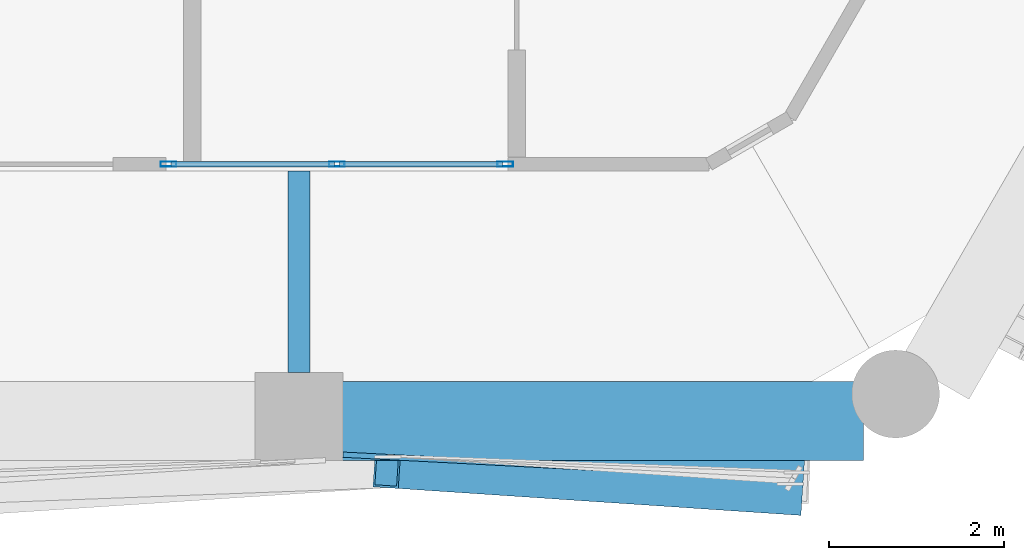
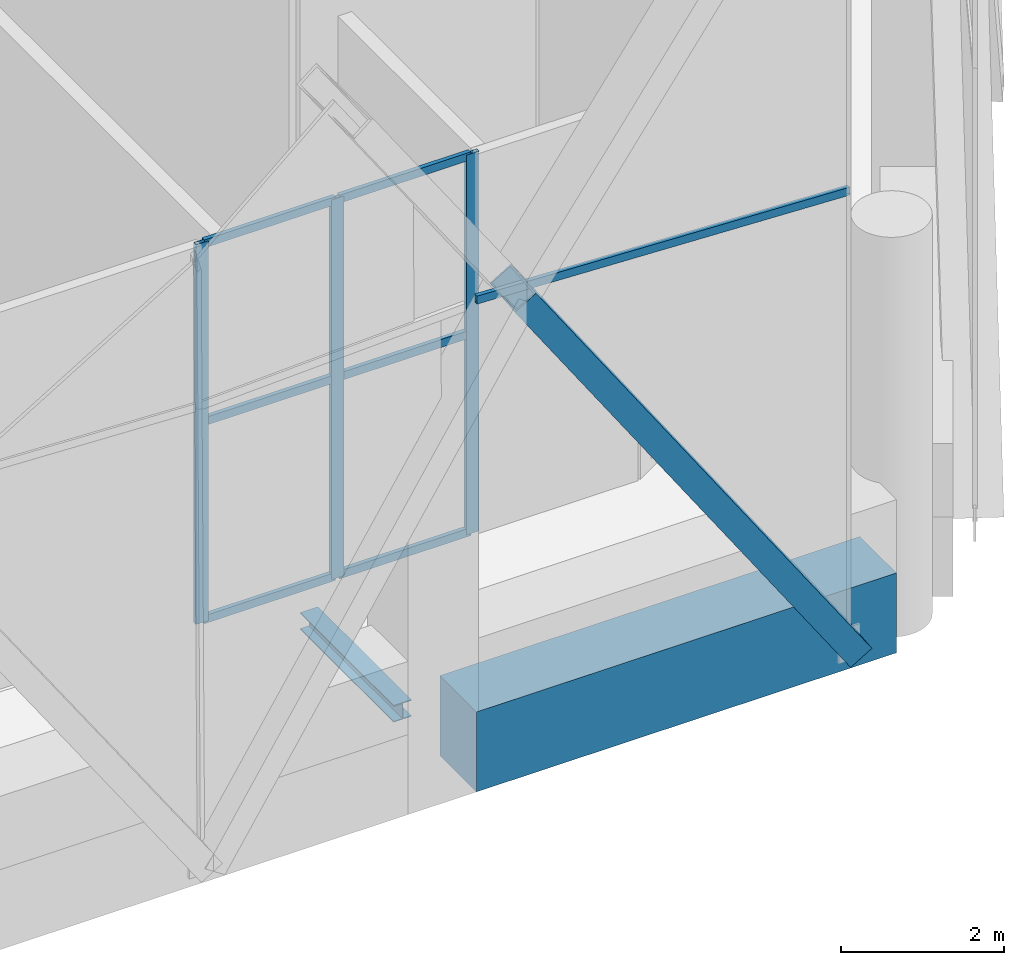
# One storey, part 10 of 43: 11 members, 2 beams, 2 elements without a shape of their own.
"""IFC4 building model written with IfcOpenShell, lengths in metres."""

import ifcopenshell
import ifcopenshell.guid

model = None  # the IFC model being written
_history = None  # IfcOwnerHistory: only IFC2X3 demands one
_inside = {}  # id of a spatial element -> (the spatial element, [elements in it])
_under = {}  # id of a project, library or spatial element -> (it, [spatial elements below it])
_declared = {}  # id of a project -> (the project, [libraries it declares])
_typed = {}  # id of a type object -> (the type object, [elements of that type])
_made_of = {}  # id of a material, layer set ... -> (it, [elements and type objects made of it])


def new_model(schema):
    """Start an empty IFC model of exactly this schema.

    Asked for "IFC4X3", IfcOpenShell would pick the latest addendum, in which some entities
    have other attributes; the version numbers below select the first issue.
    IFC2X3 requires an IfcOwnerHistory on every rooted entity: one is made here for all.
    """
    global model, _history
    if schema == "IFC4X3":
        model = ifcopenshell.file(schema_version=(4, 3, 0, 0))
    else:
        model = ifcopenshell.file(schema=schema)
    _inside.clear()
    _under.clear()
    _declared.clear()
    _typed.clear()
    _made_of.clear()
    _history = None
    if model.schema == "IFC2X3":
        org = make("IfcOrganization", Name="unknown")
        user = make(
            "IfcPersonAndOrganization",
            ThePerson=make("IfcPerson", FamilyName="unknown"),
            TheOrganization=org,
        )
        app = make(
            "IfcApplication",
            ApplicationDeveloper=org,
            Version="unknown",
            ApplicationFullName="unknown",
            ApplicationIdentifier="unknown",
        )
        _history = make(
            "IfcOwnerHistory",
            OwningUser=user,
            OwningApplication=app,
            ChangeAction="ADDED",
            CreationDate=0,
        )
    return model


def make(cls, **values):
    """One entity of the class cls with the attributes given. An attribute that is None is left unset."""
    return model.create_entity(
        cls, **{name: value for name, value in values.items() if value is not None}
    )


def rooted(cls, **values):
    """An entity with a GlobalId (a new one), such as an element, a storey or a relation."""
    return make(cls, GlobalId=ifcopenshell.guid.new(), OwnerHistory=_history, **values)


def si_unit(unit_type, name, prefix=None):
    """IfcSIUnit, for example si_unit("LENGTHUNIT", "METRE", prefix="MILLI")."""
    return make("IfcSIUnit", UnitType=unit_type, Prefix=prefix, Name=name)


def assignment(units):
    """IfcUnitAssignment: the units of a project."""
    return None if units is None else make("IfcUnitAssignment", Units=units)


def point(xyz):
    """IfcCartesianPoint."""
    return None if xyz is None else make("IfcCartesianPoint", Coordinates=xyz)


def direction(xyz):
    """IfcDirection."""
    return None if xyz is None else make("IfcDirection", DirectionRatios=xyz)


def frame(location, z_axis=None, x_axis=None):
    """IfcAxis2Placement3D, a coordinate frame: its origin and axes. An axis left out is left unset."""
    return make(
        "IfcAxis2Placement3D",
        Location=point(location),
        Axis=direction(z_axis),
        RefDirection=direction(x_axis),
    )


def frame_2d(location, x_axis=None):
    """IfcAxis2Placement2D, a coordinate frame in the plane: its origin and x axis."""
    return make(
        "IfcAxis2Placement2D", Location=point(location), RefDirection=direction(x_axis)
    )


def origin():
    """The frame at (0, 0, 0) with its axes left unset."""
    return frame((0.0, 0.0, 0.0))


def origin_2d():
    """The frame at (0, 0) in the plane with its x axis left unset."""
    return frame_2d((0.0, 0.0))


def place(relative_to, where):
    """IfcLocalPlacement: puts the frame where relative to a parent placement (None: the world)."""
    return make(
        "IfcLocalPlacement", PlacementRelTo=relative_to, RelativePlacement=where
    )


def context(
    kind, dimensions, precision=None, world=None, true_north=None, identifier=None
):
    """IfcGeometricRepresentationContext, for example the 3D "Model" context."""
    return make(
        "IfcGeometricRepresentationContext",
        ContextIdentifier=identifier,
        ContextType=kind,
        CoordinateSpaceDimension=dimensions,
        Precision=precision,
        WorldCoordinateSystem=world,
        TrueNorth=true_north,
    )


def subcontext(parent, identifier, kind, view, scale=None):
    """IfcGeometricRepresentationSubContext, for example "Body" below "Model"."""
    return make(
        "IfcGeometricRepresentationSubContext",
        ContextIdentifier=identifier,
        ContextType=kind,
        ParentContext=parent,
        TargetScale=scale,
        TargetView=view,
    )


def project(units=None, contexts=None):
    """IfcProject with its units and contexts."""
    return rooted(
        "IfcProject",
        Name="project",
        RepresentationContexts=contexts,
        UnitsInContext=assignment(units),
    )


def spatial(cls, under=None, at=None, **own):
    """A site, building, storey or space (cls), placed at a placement, below another one or the project."""
    s = rooted(cls, ObjectPlacement=at, **own)
    if under is not None:
        _under.setdefault(under.id(), (under, []))[1].append(s)
    return s


def profile(cls, at=None, kind="AREA", **sizes):
    """A parametric profile (cls). Its sizes go by their IFC names, for example OverallWidth=200.0."""
    return make(cls, ProfileType=kind, Position=at, **sizes)


def rectangle(**sizes):
    """IfcRectangleProfileDef."""
    return profile("IfcRectangleProfileDef", **sizes)


def hollow_rectangle(**sizes):
    """IfcRectangleHollowProfileDef."""
    return profile("IfcRectangleHollowProfileDef", **sizes)


def i_section(**sizes):
    """IfcIShapeProfileDef."""
    return profile("IfcIShapeProfileDef", **sizes)


def extrude(swept, where, along, depth):
    """IfcExtrudedAreaSolid: the profile swept, set in the frame where, extruded along a direction by depth."""
    return make(
        "IfcExtrudedAreaSolid",
        SweptArea=swept,
        Position=where,
        ExtrudedDirection=direction(along),
        Depth=depth,
    )


def shape(context_of_items, identifier, shape_type, items):
    """IfcShapeRepresentation: the items that make up one representation, for example the "Body"."""
    return make(
        "IfcShapeRepresentation",
        ContextOfItems=context_of_items,
        RepresentationIdentifier=identifier,
        RepresentationType=shape_type,
        Items=items,
    )


def material(Name=None, Category=None):
    """IfcMaterial."""
    return make("IfcMaterial", Name=Name, Category=Category)


def material_profile(
    of_material, cross_section, Name=None, Category=None, Priority=None
):
    """IfcMaterialProfile: a cross section and its material."""
    return make(
        "IfcMaterialProfile",
        Name=Name,
        Material=of_material,
        Profile=cross_section,
        Priority=Priority,
        Category=Category,
    )


def profile_set(profiles, Name=None, composite=None):
    """IfcMaterialProfileSet."""
    return make(
        "IfcMaterialProfileSet",
        Name=Name,
        MaterialProfiles=profiles,
        CompositeProfile=composite,
    )


def made_of(thing, what):
    """Note that an element or type object is made of a material, layer set ...; save() writes the relation."""
    if what is not None:
        _made_of.setdefault(what.id(), (what, []))[1].append(thing)
    return thing


def type_object(cls, material=None, **own):
    """A type object (cls), such as IfcWallType, which elements share."""
    return made_of(rooted(cls, **own), material)


def element(
    cls,
    number,
    at=None,
    inside=None,
    cuts=None,
    type_object=None,
    material=None,
    context=None,
    identifier="Body",
    shape_type=None,
    held_by="IfcProductDefinitionShape",
    body=None,
    shapes=None,
    **own,
):
    """One element of the class cls, such as IfcWall. Its Tag is "e" and its number.

    at: its placement. inside: the storey or other place that contains it. cuts: it is an
    opening in that element (IfcRelVoidsElement). A single representation is given by context,
    identifier, shape_type and body (its items); several are given by shapes. held_by: the class
    of the entity that holds the representations. save() writes the other relations.
    """
    e = rooted(cls, Tag="e%d" % number, ObjectPlacement=at, **own)
    if body is not None:
        shapes = [shape(context, identifier, shape_type, body)]
    if shapes is not None:
        e.Representation = make(held_by, Representations=shapes)
    if inside is not None:
        _inside.setdefault(inside.id(), (inside, []))[1].append(e)
    if cuts is not None:
        rooted(
            "IfcRelVoidsElement", RelatingBuildingElement=cuts, RelatedOpeningElement=e
        )
    if type_object is not None:
        _typed.setdefault(type_object.id(), (type_object, []))[1].append(e)
    return made_of(e, material)


def aggregate(whole, parts):
    """IfcRelAggregates: a whole, such as a stair, and the parts it consists of."""
    return rooted("IfcRelAggregates", RelatingObject=whole, RelatedObjects=parts)


def save(model, path):
    """Write the relations noted so far, then the file.

    IfcRelAggregates (storeys below a building ...), IfcRelContainedInSpatialStructure (elements
    in a storey), IfcRelDefinesByType, IfcRelAssociatesMaterial and IfcRelDeclares: one each for
    every whole, place, type object, material and project.
    """
    for whole, parts in _under.values():
        aggregate(whole, parts)
    for where, things in _inside.values():
        rooted(
            "IfcRelContainedInSpatialStructure",
            RelatedElements=things,
            RelatingStructure=where,
        )
    for kind, things in _typed.values():
        rooted("IfcRelDefinesByType", RelatedObjects=things, RelatingType=kind)
    for what, things in _made_of.values():
        rooted("IfcRelAssociatesMaterial", RelatedObjects=things, RelatingMaterial=what)
    for by, libraries in _declared.values():
        rooted("IfcRelDeclares", RelatingContext=by, RelatedDefinitions=libraries)
    model.write(path)


model = new_model("IFC4")

# Units and contexts
model_context = context("Model", 3, precision=1e-05, world=origin(), true_north=direction((0.0, 1.0)))
body_context = subcontext(model_context, "Body", "Model", "MODEL_VIEW")
ifc_project = project(units=[si_unit("LENGTHUNIT", "METRE"), si_unit("AREAUNIT", "SQUARE_METRE"), si_unit("VOLUMEUNIT", "CUBIC_METRE"), si_unit("PLANEANGLEUNIT", "RADIAN"), si_unit("MASSUNIT", "GRAM", prefix="KILO")], contexts=[model_context])

# Site, building, storey
site_placement = place(None, origin())
site = spatial("IfcSite", under=ifc_project, at=site_placement, CompositionType="ELEMENT")
building_placement = place(site_placement, origin())
building = spatial("IfcBuilding", under=site, at=building_placement, Name="Ostrander Bayou Hotel Tower", CompositionType="ELEMENT")
storey_placement = place(building_placement, frame((0.0, 0.0, 151.0)))
storey = spatial("IfcBuildingStorey", under=building, at=storey_placement, Name="L37", CompositionType="ELEMENT", Elevation=151.0)

# Curtain wall, member
ifc_material_1 = material(Name="Aluminium and clear glass", Category="aluminium")
curtain_wall_type_1 = type_object("IfcCurtainWallType", Name="CW-LAT lattice glazing", PredefinedType="NOTDEFINED", material=ifc_material_1)
curtain_wall_1_placement = place(storey_placement, origin())
curtain_wall_1 = element("IfcCurtainWall", 1, at=curtain_wall_1_placement, inside=storey, type_object=curtain_wall_type_1, Name="CW-LAT L37 S 2", PredefinedType="NOTDEFINED")
ifc_material_2 = material(Name="Aluminium", Category="aluminium")
ifc_material_profile_1 = material_profile(ifc_material_2, hollow_rectangle(XDim=0.06005859375, YDim=0.1201171875, WallThickness=0.00390625, at=origin_2d()))
ifc_profile_set_1 = profile_set([ifc_material_profile_1], Name="Aluminium")
member_type_1 = type_object("IfcMemberType", Name="CW-LA transom 60 x 120 mm", PredefinedType="USERDEFINED", material=ifc_profile_set_1)
member_1_placement = place(storey_placement, frame((9.25634765625, -19.00439453125, 6.14990234375), z_axis=(-0.998641842643, 0.052100576985, 0.0), x_axis=(-0.052100576985, -0.998641842643, 0.0)))
member_1 = element("IfcMember", 2, at=member_1_placement, type_object=member_type_1, Name="CW-LAT transom 10", ObjectType="TRANSOM", PredefinedType="USERDEFINED", context=body_context, shape_type="SweptSolid", body=[
    extrude(hollow_rectangle(XDim=0.06005859375, YDim=0.1201171875, WallThickness=0.00390625, at=origin_2d()), origin(), (0.0, 0.0, 1.0), 5.145263671875),
])
aggregate(curtain_wall_1, [member_1])

# Curtain wall, members
ifc_material_3 = material(Name="Aluminium and clear glass", Category="aluminium")
curtain_wall_type_2 = type_object("IfcCurtainWallType", Name="CW-SKY amenity glass wall", PredefinedType="NOTDEFINED", material=ifc_material_3)
curtain_wall_2_placement = place(storey_placement, origin())
curtain_wall_2 = element("IfcCurtainWall", 3, at=curtain_wall_2_placement, inside=storey, type_object=curtain_wall_type_2, Name="CW-SKY L37 S 3", PredefinedType="NOTDEFINED")
ifc_material_4 = material(Name="Aluminium", Category="aluminium")
ifc_material_profile_2 = material_profile(ifc_material_4, hollow_rectangle(XDim=0.06005859375, YDim=0.179931640625, WallThickness=0.00390625, at=origin_2d()))
ifc_profile_set_2 = profile_set([ifc_material_profile_2], Name="Aluminium")
member_type_2 = type_object("IfcMemberType", Name="CW-SK mullion 60 x 180 mm", PredefinedType="MULLION", material=ifc_profile_set_2)
member_2_placement = place(storey_placement, frame((2.1298828125, -15.425048828125, 0.0), z_axis=(0.0, 0.0, 1.0), x_axis=(0.0, 1.0, 0.0)))
member_2 = element("IfcMember", 4, at=member_2_placement, type_object=member_type_2, Name="CW-SKY mullion 1", PredefinedType="MULLION", context=body_context, shape_type="SweptSolid", body=[
    extrude(hollow_rectangle(XDim=0.06005859375, YDim=0.179931640625, WallThickness=0.00390625, at=origin_2d()), origin(), (0.0, 0.0, 1.0), 5.699951171875),
])
member_3_placement = place(storey_placement, frame((4.050048828125, -15.425048828125, 0.0), z_axis=(0.0, 0.0, 1.0), x_axis=(0.0, 1.0, 0.0)))
member_3 = element("IfcMember", 5, at=member_3_placement, type_object=member_type_2, Name="CW-SKY mullion 2", PredefinedType="MULLION", context=body_context, shape_type="SweptSolid", body=[
    extrude(hollow_rectangle(XDim=0.06005859375, YDim=0.179931640625, WallThickness=0.00390625, at=origin_2d()), origin(), (0.0, 0.0, 1.0), 5.699951171875),
])
member_4_placement = place(storey_placement, frame((5.969970703125, -15.425048828125, 0.0), z_axis=(0.0, 0.0, 1.0), x_axis=(0.0, 1.0, 0.0)))
member_4 = element("IfcMember", 6, at=member_4_placement, type_object=member_type_2, Name="CW-SKY mullion 3", PredefinedType="MULLION", context=body_context, shape_type="SweptSolid", body=[
    extrude(hollow_rectangle(XDim=0.06005859375, YDim=0.179931640625, WallThickness=0.00390625, at=origin_2d()), origin(), (0.0, 0.0, 1.0), 5.699951171875),
])
ifc_material_5 = material(Name="Aluminium", Category="aluminium")
ifc_material_profile_3 = material_profile(ifc_material_5, hollow_rectangle(XDim=0.06005859375, YDim=0.1201171875, WallThickness=0.00390625, at=origin_2d()))
ifc_profile_set_3 = profile_set([ifc_material_profile_3], Name="Aluminium")
member_type_3 = type_object("IfcMemberType", Name="CW-SK transom 60 x 120 mm", PredefinedType="USERDEFINED", material=ifc_profile_set_3)
member_5_placement = place(storey_placement, frame((2.159912109375, -15.425048828125, 0.030029296875), z_axis=(1.0, 0.0, 0.0), x_axis=(0.0, 1.0, 0.0)))
member_5 = element("IfcMember", 7, at=member_5_placement, type_object=member_type_3, Name="CW-SKY transom 1.1", ObjectType="TRANSOM", PredefinedType="USERDEFINED", context=body_context, shape_type="SweptSolid", body=[
    extrude(hollow_rectangle(XDim=0.06005859375, YDim=0.1201171875, WallThickness=0.00390625, at=origin_2d()), origin(), (0.0, 0.0, 1.0), 1.860107421875),
])
member_6_placement = place(storey_placement, frame((2.159912109375, -15.425048828125, 3.0), z_axis=(1.0, 0.0, 0.0), x_axis=(0.0, 1.0, 0.0)))
member_6 = element("IfcMember", 8, at=member_6_placement, type_object=member_type_3, Name="CW-SKY transom 1.2", ObjectType="TRANSOM", PredefinedType="USERDEFINED", context=body_context, shape_type="SweptSolid", body=[
    extrude(hollow_rectangle(XDim=0.06005859375, YDim=0.1201171875, WallThickness=0.00390625, at=origin_2d()), origin(), (0.0, 0.0, 1.0), 1.860107421875),
])
member_7_placement = place(storey_placement, frame((2.159912109375, -15.425048828125, 5.669921875), z_axis=(1.0, 0.0, 0.0), x_axis=(0.0, 1.0, 0.0)))
member_7 = element("IfcMember", 9, at=member_7_placement, type_object=member_type_3, Name="CW-SKY transom 1.3", ObjectType="TRANSOM", PredefinedType="USERDEFINED", context=body_context, shape_type="SweptSolid", body=[
    extrude(hollow_rectangle(XDim=0.06005859375, YDim=0.1201171875, WallThickness=0.00390625, at=origin_2d()), origin(), (0.0, 0.0, 1.0), 1.860107421875),
])
member_8_placement = place(storey_placement, frame((4.080078125, -15.425048828125, 0.030029296875), z_axis=(1.0, 0.0, 0.0), x_axis=(0.0, 1.0, 0.0)))
member_8 = element("IfcMember", 10, at=member_8_placement, type_object=member_type_3, Name="CW-SKY transom 2.1", ObjectType="TRANSOM", PredefinedType="USERDEFINED", context=body_context, shape_type="SweptSolid", body=[
    extrude(hollow_rectangle(XDim=0.06005859375, YDim=0.1201171875, WallThickness=0.00390625, at=origin_2d()), origin(), (0.0, 0.0, 1.0), 1.85986328125),
])
member_9_placement = place(storey_placement, frame((4.080078125, -15.425048828125, 3.0), z_axis=(1.0, 0.0, 0.0), x_axis=(0.0, 1.0, 0.0)))
member_9 = element("IfcMember", 11, at=member_9_placement, type_object=member_type_3, Name="CW-SKY transom 2.2", ObjectType="TRANSOM", PredefinedType="USERDEFINED", context=body_context, shape_type="SweptSolid", body=[
    extrude(hollow_rectangle(XDim=0.06005859375, YDim=0.1201171875, WallThickness=0.00390625, at=origin_2d()), origin(), (0.0, 0.0, 1.0), 1.85986328125),
])
member_10_placement = place(storey_placement, frame((4.080078125, -15.425048828125, 5.669921875), z_axis=(1.0, 0.0, 0.0), x_axis=(0.0, 1.0, 0.0)))
member_10 = element("IfcMember", 12, at=member_10_placement, type_object=member_type_3, Name="CW-SKY transom 2.3", ObjectType="TRANSOM", PredefinedType="USERDEFINED", context=body_context, shape_type="SweptSolid", body=[
    extrude(hollow_rectangle(XDim=0.06005859375, YDim=0.1201171875, WallThickness=0.00390625, at=origin_2d()), origin(), (0.0, 0.0, 1.0), 1.85986328125),
])
aggregate(curtain_wall_2, [member_2, member_3, member_4, member_5, member_6, member_7, member_8, member_9, member_10])

# Beam
ifc_material_6 = material(Name="Steel ASTM A992", Category="steel")
ifc_material_profile_4 = material_profile(ifc_material_6, i_section(OverallWidth=0.25390625, OverallDepth=0.25341796875, WebThickness=0.008544921875, FlangeThickness=0.01416015625, at=origin_2d()))
ifc_profile_set_4 = profile_set([ifc_material_profile_4], Name="Steel ASTM A992")
beam_type_1 = type_object("IfcBeamType", Name="LB2 loggia bracket W10x49", PredefinedType="BEAM", material=ifc_profile_set_4)
beam_1_placement = place(storey_placement, frame((3.6181640625, -17.800048828125, -0.4267578125), z_axis=(0.0, 1.0, 0.0), x_axis=(-1.0, 0.0, 0.0)))
element("IfcBeam", 13, at=beam_1_placement, inside=storey, type_object=beam_type_1, Name="LB2 L37 S2", PredefinedType="BEAM", context=body_context, shape_type="SweptSolid", body=[
    extrude(i_section(OverallWidth=0.25390625, OverallDepth=0.25341796875, WebThickness=0.008544921875, FlangeThickness=0.01416015625, at=origin_2d()), origin(), (0.0, 0.0, 1.0), 2.300048828125),
])

# Member
ifc_material_7 = material(Name="Steel ASTM A572 Gr 50", Category="steel")
ifc_material_profile_5 = material_profile(ifc_material_7, hollow_rectangle(XDim=0.699951171875, YDim=0.35009765625, WallThickness=0.02490234375, at=origin_2d()))
ifc_profile_set_5 = profile_set([ifc_material_profile_5], Name="Steel ASTM A572 Gr 50")
member_type_4 = type_object("IfcMemberType", Name="LT1 lattice member box 700 x 350 x 25 mm", PredefinedType="BRACE", material=ifc_profile_set_5)
member_11_placement = place(storey_placement, frame((4.628173828125, -18.762939453125, 6.14990234375), z_axis=(0.561940227992, -0.03759817077, -0.826322913708), x_axis=(0.066758515359, 0.997769161994, 0.0)))
element("IfcMember", 14, at=member_11_placement, inside=storey, type_object=member_type_4, Name="LT1 L37 S 7", PredefinedType="BRACE", context=body_context, shape_type="SweptSolid", body=[
    extrude(hollow_rectangle(XDim=0.699951171875, YDim=0.35009765625, WallThickness=0.02490234375, at=origin_2d()), origin(), (0.0, 0.0, 1.0), 8.168701171875),
])

# Beam
ifc_material_8 = material(Name="Concrete f'c 60 MPa", Category="concrete")
ifc_material_profile_6 = material_profile(ifc_material_8, rectangle(XDim=0.89990234375, YDim=1.199951171875, at=origin_2d()))
ifc_profile_set_6 = profile_set([ifc_material_profile_6], Name="Concrete f'c 60 MPa")
beam_type_2 = type_object("IfcBeamType", Name="SP3 spandrel beam 900 x 1200 mm f'c 60 MPa", PredefinedType="SPANDREL", material=ifc_profile_set_6)
beam_2_placement = place(storey_placement, frame((4.088134765625, -18.35009765625, -0.60009765625), z_axis=(1.0, 0.0, 0.0), x_axis=(0.0, 1.0, 0.0)))
element("IfcBeam", 15, at=beam_2_placement, inside=storey, type_object=beam_type_2, Name="SP3 L37 S-3", PredefinedType="SPANDREL", context=body_context, shape_type="SweptSolid", body=[
    extrude(rectangle(XDim=0.89990234375, YDim=1.199951171875, at=origin_2d()), origin(), (0.0, 0.0, 1.0), 5.9638671875),
])

save(model, "model.ifc")
